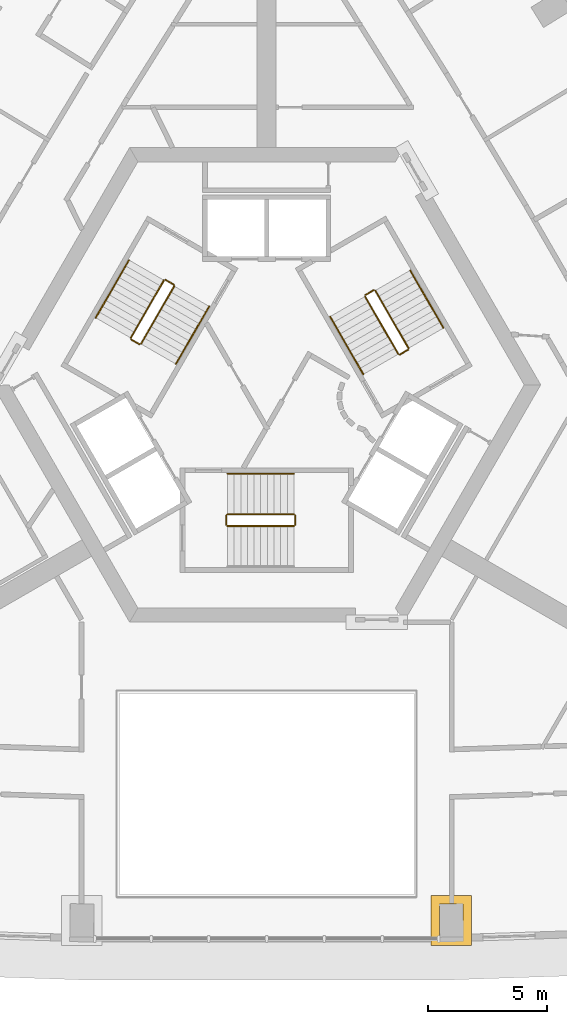
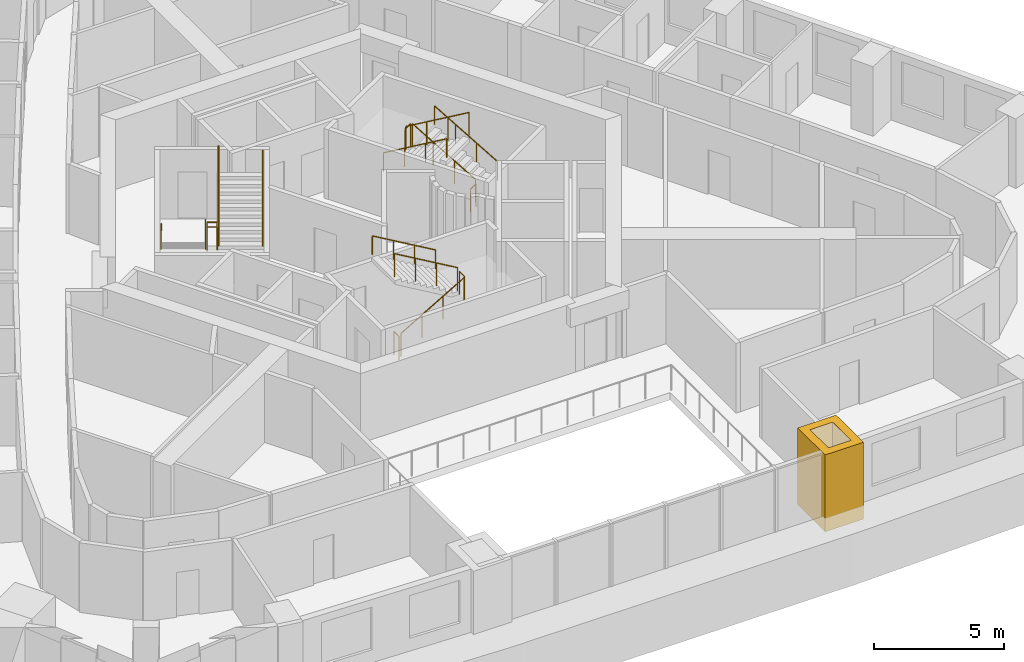
# One storey, part 12 of 13: 17 railings, 1 covering.
"""IFC4 building model written with IfcOpenShell, lengths in metres."""

from ifc_helpers import new_model, si_unit, direction, frame, origin, origin_2d, place, context, subcontext, project, spatial, polyline, circle, outline, extrude, material, type_object, element, save


model = new_model("IFC4")

# Units and contexts
model_context = context("Model", 3, precision=1e-05, world=origin(), true_north=direction((0.0, 1.0)))
body_context = subcontext(model_context, "Body", "Model", "MODEL_VIEW")
ifc_project = project(units=[si_unit("LENGTHUNIT", "METRE"), si_unit("AREAUNIT", "SQUARE_METRE"), si_unit("VOLUMEUNIT", "CUBIC_METRE"), si_unit("PLANEANGLEUNIT", "RADIAN"), si_unit("MASSUNIT", "GRAM", prefix="KILO")], contexts=[model_context])

# Site, building, storey
site_placement = place(None, origin())
site = spatial("IfcSite", under=ifc_project, at=site_placement, CompositionType="ELEMENT")
building_placement = place(site_placement, origin())
building = spatial("IfcBuilding", under=site, at=building_placement, Name="Entoto Arch Interchange Tower", CompositionType="ELEMENT")
storey_placement = place(building_placement, frame((0.0, 0.0, 266.60009765625)))
storey = spatial("IfcBuildingStorey", under=building, at=storey_placement, Name="L61", CompositionType="ELEMENT", Elevation=266.60009765625)

# Covering
ifc_material_1 = material(Name="Board-marked precast concrete C50/60", Category="concrete")
covering_type = type_object("IfcCoveringType", Name="PRECAST FRAME COURSE", PredefinedType="CLADDING", material=ifc_material_1)
covering_placement = place(storey_placement, frame((0.0, 0.0, -0.340087890625)))
element("IfcCovering", 1, at=covering_placement, inside=storey, type_object=covering_type, Name="Gate pier L61", PredefinedType="CLADDING", context=body_context, shape_type="SweptSolid", body=[
    extrude(outline(polyline([(6.93408203125, -19.01904296875), (8.634033203125, -19.01904296875), (8.634033203125, -21.118896484375), (6.93408203125, -21.118896484375), (6.93408203125, -19.01904296875)]), holes=[polyline([(7.283935546875, -19.368896484375), (7.283935546875, -20.76904296875), (8.283935546875, -20.76904296875), (8.283935546875, -19.368896484375), (7.283935546875, -19.368896484375)])]), origin(), (0.0, 0.0, 1.0), 3.60009765625),
])

# Railings
ifc_material_2 = material(Name="Stainless steel 1.4301", Category="steel")
railing_type_1 = type_object("IfcRailingType", Name="STAIR GUARD 1100 STEEL", PredefinedType="GUARDRAIL", material=ifc_material_2)
railing_1_placement = place(storey_placement, frame((-1.64990234375, -3.449951171875, 0.16357421875)))
element("IfcRailing", 2, at=railing_1_placement, inside=storey, type_object=railing_type_1, Name="L61 ST-S stair guard 1", PredefinedType="GUARDRAIL", context=body_context, shape_type="SweptSolid", body=[
    extrude(circle(Radius=0.02392578125, at=origin_2d()), frame((0.0, 0.0, 1.076171875), z_axis=(0.863374499697, 0.0, 0.504563646405), x_axis=(0.0, 1.0, 0.0)), (0.0, 0.0, 1.0), 3.242919921875),
    extrude(circle(Radius=0.02099609375, at=origin_2d()), origin(), (0.0, 0.0, 1.0), 1.052001953125),
    extrude(circle(Radius=0.02099609375, at=origin_2d()), frame((0.933349609375, 0.0, 0.54541015625)), (0.0, 0.0, 1.0), 1.052001953125),
    extrude(circle(Radius=0.02099609375, at=origin_2d()), frame((1.866455078125, 0.0, 1.0908203125)), (0.0, 0.0, 1.0), 1.052001953125),
    extrude(circle(Radius=0.02099609375, at=origin_2d()), frame((2.7998046875, 0.0, 1.63623046875)), (0.0, 0.0, 1.0), 1.052001953125),
])
railing_2_placement = place(storey_placement, frame((1.199951171875, -3.39990234375, 1.7998046875)))
element("IfcRailing", 3, at=railing_2_placement, inside=storey, type_object=railing_type_1, Name="L61 ST-S stair guard 2", PredefinedType="GUARDRAIL", context=body_context, shape_type="SweptSolid", body=[
    extrude(circle(Radius=0.02392578125, at=origin_2d()), frame((0.0, 0.0, 1.076171875), z_axis=(0.0, 1.0, 0.0), x_axis=(-1.0, 0.0, 0.0)), (0.0, 0.0, 1.0), 0.39990234375),
    extrude(circle(Radius=0.02099609375, at=origin_2d()), origin(), (0.0, 0.0, 1.0), 1.052001953125),
    extrude(circle(Radius=0.02099609375, at=origin_2d()), frame((0.0, 0.39990234375, 0.0)), (0.0, 0.0, 1.0), 1.052001953125),
])
railing_3_placement = place(storey_placement, frame((1.14990234375, -2.949951171875, 1.963623046875)))
element("IfcRailing", 4, at=railing_3_placement, inside=storey, type_object=railing_type_1, Name="L61 ST-S stair guard 3", PredefinedType="GUARDRAIL", context=body_context, shape_type="SweptSolid", body=[
    extrude(circle(Radius=0.02392578125, at=origin_2d()), frame((0.0, 0.0, 1.076171875), z_axis=(-0.863374499697, 0.0, 0.504563646405), x_axis=(0.0, -1.0, 0.0)), (0.0, 0.0, 1.0), 3.242919921875),
    extrude(circle(Radius=0.02099609375, at=origin_2d()), origin(), (0.0, 0.0, 1.0), 1.052001953125),
    extrude(circle(Radius=0.02099609375, at=origin_2d()), frame((-0.933349609375, 0.0, 0.54541015625)), (0.0, 0.0, 1.0), 1.052001953125),
    extrude(circle(Radius=0.02099609375, at=origin_2d()), frame((-1.866455078125, 0.0, 1.0908203125)), (0.0, 0.0, 1.0), 1.052001953125),
    extrude(circle(Radius=0.02099609375, at=origin_2d()), frame((-2.7998046875, 0.0, 1.63623046875)), (0.0, 0.0, 1.0), 1.052001953125),
])
railing_4_placement = place(storey_placement, frame((-1.699951171875, -3.39990234375, 0.0)))
element("IfcRailing", 5, at=railing_4_placement, inside=storey, type_object=railing_type_1, Name="L61 ST-S stair guard 4", PredefinedType="GUARDRAIL", context=body_context, shape_type="SweptSolid", body=[
    extrude(circle(Radius=0.02392578125, at=origin_2d()), frame((0.0, 0.0, 1.076171875), z_axis=(0.0, 1.0, 0.0), x_axis=(-1.0, 0.0, 0.0)), (0.0, 0.0, 1.0), 0.39990234375),
    extrude(circle(Radius=0.02099609375, at=origin_2d()), origin(), (0.0, 0.0, 1.0), 1.052001953125),
    extrude(circle(Radius=0.02099609375, at=origin_2d()), frame((0.0, 0.39990234375, 0.0)), (0.0, 0.0, 1.0), 1.052001953125),
])
railing_5_placement = place(storey_placement, frame((5.977783203125, 4.046142578125, 0.16357421875)))
element("IfcRailing", 6, at=railing_5_placement, inside=storey, type_object=railing_type_1, Name="L61 ST-NE stair guard 1", PredefinedType="GUARDRAIL", context=body_context, shape_type="SweptSolid", body=[
    extrude(circle(Radius=0.02392578125, at=origin_2d()), frame((0.0, 0.0, 1.076171875), z_axis=(-0.431677027627, 0.74771821388, 0.504551698492), x_axis=(-0.866034573852, -0.49998411664, 0.0)), (0.0, 0.0, 1.0), 3.242919921875),
    extrude(circle(Radius=0.02099609375, at=origin_2d()), origin(), (0.0, 0.0, 1.0), 1.052001953125),
    extrude(circle(Radius=0.02099609375, at=origin_2d()), frame((-0.466552734375, 0.808349609375, 0.54541015625)), (0.0, 0.0, 1.0), 1.052001953125),
    extrude(circle(Radius=0.02099609375, at=origin_2d()), frame((-0.933349609375, 1.616455078125, 1.0908203125)), (0.0, 0.0, 1.0), 1.052001953125),
    extrude(circle(Radius=0.02099609375, at=origin_2d()), frame((-1.39990234375, 2.4248046875, 1.63623046875)), (0.0, 0.0, 1.0), 1.052001953125),
])
railing_6_placement = place(storey_placement, frame((4.509521484375, 6.4892578125, 1.7998046875)))
element("IfcRailing", 7, at=railing_6_placement, inside=storey, type_object=railing_type_1, Name="L61 ST-NE stair guard 2", PredefinedType="GUARDRAIL", context=body_context, shape_type="SweptSolid", body=[
    extrude(circle(Radius=0.02392578125, at=origin_2d()), frame((0.0, 0.0, 1.076171875), z_axis=(-0.866094119867, -0.499880961361, 0.0), x_axis=(0.499880961361, -0.866094119867, 0.0)), (0.0, 0.0, 1.0), 0.39990234375),
    extrude(circle(Radius=0.02099609375, at=origin_2d()), origin(), (0.0, 0.0, 1.0), 1.052001953125),
    extrude(circle(Radius=0.02099609375, at=origin_2d()), frame((-0.346435546875, -0.199951171875, 0.0)), (0.0, 0.0, 1.0), 1.052001953125),
])
railing_7_placement = place(storey_placement, frame((4.144775390625, 6.220947265625, 1.963623046875)))
element("IfcRailing", 8, at=railing_7_placement, inside=storey, type_object=railing_type_1, Name="L61 ST-NE stair guard 3", PredefinedType="GUARDRAIL", context=body_context, shape_type="SweptSolid", body=[
    extrude(circle(Radius=0.02392578125, at=origin_2d()), frame((0.0, 0.0, 1.076171875), z_axis=(0.431738279637, -0.747693913401, 0.504535300807), x_axis=(0.865996816683, 0.500049511043, 0.0)), (0.0, 0.0, 1.0), 3.2431640625),
    extrude(circle(Radius=0.02099609375, at=origin_2d()), origin(), (0.0, 0.0, 1.0), 1.052001953125),
    extrude(circle(Radius=0.02099609375, at=origin_2d()), frame((0.466796875, -0.808349609375, 0.54541015625)), (0.0, 0.0, 1.0), 1.052001953125),
    extrude(circle(Radius=0.02099609375, at=origin_2d()), frame((0.933349609375, -1.616455078125, 1.0908203125)), (0.0, 0.0, 1.0), 1.052001953125),
    extrude(circle(Radius=0.02099609375, at=origin_2d()), frame((1.400146484375, -2.4248046875, 1.63623046875)), (0.0, 0.0, 1.0), 1.052001953125),
])
railing_8_placement = place(storey_placement, frame((5.95947265625, 3.977783203125, 0.0)))
element("IfcRailing", 9, at=railing_8_placement, inside=storey, type_object=railing_type_1, Name="L61 ST-NE stair guard 4", PredefinedType="GUARDRAIL", context=body_context, shape_type="SweptSolid", body=[
    extrude(circle(Radius=0.02392578125, at=origin_2d()), frame((0.0, 0.0, 1.076171875), z_axis=(-0.866094119867, -0.499880961361, 0.0), x_axis=(0.499880961361, -0.866094119867, 0.0)), (0.0, 0.0, 1.0), 0.39990234375),
    extrude(circle(Radius=0.02099609375, at=origin_2d()), origin(), (0.0, 0.0, 1.0), 1.052001953125),
    extrude(circle(Radius=0.02099609375, at=origin_2d()), frame((-0.346435546875, -0.199951171875, 0.0)), (0.0, 0.0, 1.0), 1.052001953125),
])
railing_9_placement = place(storey_placement, frame((-4.327880859375, 6.904052734375, 0.16357421875)))
element("IfcRailing", 10, at=railing_9_placement, inside=storey, type_object=railing_type_1, Name="L61 ST-NW stair guard 1", PredefinedType="GUARDRAIL", context=body_context, shape_type="SweptSolid", body=[
    extrude(circle(Radius=0.02392578125, at=origin_2d()), frame((0.0, 0.0, 1.076171875), z_axis=(-0.43165272891, -0.747751404999, 0.504523297725), x_axis=(0.866056369097, -0.49994636267, 0.0)), (0.0, 0.0, 1.0), 3.2431640625),
    extrude(circle(Radius=0.02099609375, at=origin_2d()), origin(), (0.0, 0.0, 1.0), 1.052001953125),
    extrude(circle(Radius=0.02099609375, at=origin_2d()), frame((-0.466552734375, -0.808349609375, 0.54541015625)), (0.0, 0.0, 1.0), 1.052001953125),
    extrude(circle(Radius=0.02099609375, at=origin_2d()), frame((-0.933349609375, -1.61669921875, 1.0908203125)), (0.0, 0.0, 1.0), 1.052001953125),
    extrude(circle(Radius=0.02099609375, at=origin_2d()), frame((-1.39990234375, -2.425048828125, 1.63623046875)), (0.0, 0.0, 1.0), 1.052001953125),
])
railing_10_placement = place(storey_placement, frame((-5.70947265625, 4.410888671875, 1.7998046875)))
element("IfcRailing", 11, at=railing_10_placement, inside=storey, type_object=railing_type_1, Name="L61 ST-NW stair guard 2", PredefinedType="GUARDRAIL", context=body_context, shape_type="SweptSolid", body=[
    extrude(circle(Radius=0.02392578125, at=origin_2d()), frame((0.0, 0.0, 1.076171875), z_axis=(0.865829829939, -0.500338590944, 0.0), x_axis=(0.500338590944, 0.865829829939, 0.0)), (0.0, 0.0, 1.0), 0.400146484375),
    extrude(circle(Radius=0.02099609375, at=origin_2d()), origin(), (0.0, 0.0, 1.0), 1.052001953125),
    extrude(circle(Radius=0.02099609375, at=origin_2d()), frame((0.346435546875, -0.2001953125, 0.0)), (0.0, 0.0, 1.0), 1.052001953125),
])
railing_11_placement = place(storey_placement, frame((-5.294921875, 4.22900390625, 1.963623046875)))
element("IfcRailing", 12, at=railing_11_placement, inside=storey, type_object=railing_type_1, Name="L61 ST-NW stair guard 3", PredefinedType="GUARDRAIL", context=body_context, shape_type="SweptSolid", body=[
    extrude(circle(Radius=0.02392578125, at=origin_2d()), frame((0.0, 0.0, 1.076171875), z_axis=(0.431713979052, 0.747727106176, 0.504506902808), x_axis=(-0.866018616679, 0.500011755427, 0.0)), (0.0, 0.0, 1.0), 3.2431640625),
    extrude(circle(Radius=0.02099609375, at=origin_2d()), origin(), (0.0, 0.0, 1.0), 1.052001953125),
    extrude(circle(Radius=0.02099609375, at=origin_2d()), frame((0.466796875, 0.808349609375, 0.54541015625)), (0.0, 0.0, 1.0), 1.052001953125),
    extrude(circle(Radius=0.02099609375, at=origin_2d()), frame((0.933349609375, 1.61669921875, 1.0908203125)), (0.0, 0.0, 1.0), 1.052001953125),
    extrude(circle(Radius=0.02099609375, at=origin_2d()), frame((1.400146484375, 2.425048828125, 1.63623046875)), (0.0, 0.0, 1.0), 1.052001953125),
])
railing_12_placement = place(storey_placement, frame((-4.259521484375, 6.92236328125, 0.0)))
element("IfcRailing", 13, at=railing_12_placement, inside=storey, type_object=railing_type_1, Name="L61 ST-NW stair guard 4", PredefinedType="GUARDRAIL", context=body_context, shape_type="SweptSolid", body=[
    extrude(circle(Radius=0.02392578125, at=origin_2d()), frame((0.0, 0.0, 1.076171875), z_axis=(0.865829829939, -0.500338590944, 0.0), x_axis=(0.500338590944, 0.865829829939, 0.0)), (0.0, 0.0, 1.0), 0.400146484375),
    extrude(circle(Radius=0.02099609375, at=origin_2d()), origin(), (0.0, 0.0, 1.0), 1.052001953125),
    extrude(circle(Radius=0.02099609375, at=origin_2d()), frame((0.346435546875, -0.2001953125, 0.0)), (0.0, 0.0, 1.0), 1.052001953125),
])
railing_type_2 = type_object("IfcRailingType", Name="STAIR HANDRAIL 900 STEEL", PredefinedType="HANDRAIL", material=ifc_material_2)
railing_13_placement = place(storey_placement, frame((1.14990234375, -1.25, 1.963623046875)))
element("IfcRailing", 14, at=railing_13_placement, inside=storey, type_object=railing_type_2, Name="L61 ST-S stair handrail 2", PredefinedType="HANDRAIL", context=body_context, shape_type="SweptSolid", body=[
    extrude(circle(Radius=0.02392578125, at=origin_2d()), frame((0.0, 0.0, 0.8759765625), z_axis=(-0.863374499697, 0.0, 0.504563646405), x_axis=(0.0, -1.0, 0.0)), (0.0, 0.0, 1.0), 3.242919921875),
    extrude(circle(Radius=0.02099609375, at=origin_2d()), origin(), (0.0, 0.0, 1.0), 0.851806640625),
    extrude(circle(Radius=0.02099609375, at=origin_2d()), frame((-0.933349609375, 0.0, 0.54541015625)), (0.0, 0.0, 1.0), 0.851806640625),
    extrude(circle(Radius=0.02099609375, at=origin_2d()), frame((-1.866455078125, 0.0, 1.0908203125)), (0.0, 0.0, 1.0), 0.851806640625),
    extrude(circle(Radius=0.02099609375, at=origin_2d()), frame((-2.7998046875, 0.0, 1.63623046875)), (0.0, 0.0, 1.0), 0.851806640625),
])
railing_14_placement = place(storey_placement, frame((7.4501953125, 4.89599609375, 0.16357421875)))
element("IfcRailing", 15, at=railing_14_placement, inside=storey, type_object=railing_type_2, Name="L61 ST-NE stair handrail 1", PredefinedType="HANDRAIL", context=body_context, shape_type="SweptSolid", body=[
    extrude(circle(Radius=0.02392578125, at=origin_2d()), frame((0.0, 0.0, 0.8759765625), z_axis=(-0.431713979052, 0.747727106176, 0.504506902808), x_axis=(-0.866018616679, -0.500011755427, 0.0)), (0.0, 0.0, 1.0), 3.2431640625),
    extrude(circle(Radius=0.02099609375, at=origin_2d()), origin(), (0.0, 0.0, 1.0), 0.851806640625),
    extrude(circle(Radius=0.02099609375, at=origin_2d()), frame((-0.466796875, 0.808349609375, 0.54541015625)), (0.0, 0.0, 1.0), 0.851806640625),
    extrude(circle(Radius=0.02099609375, at=origin_2d()), frame((-0.933349609375, 1.61669921875, 1.0908203125)), (0.0, 0.0, 1.0), 0.851806640625),
    extrude(circle(Radius=0.02099609375, at=origin_2d()), frame((-1.400146484375, 2.425048828125, 1.63623046875)), (0.0, 0.0, 1.0), 0.851806640625),
])
railing_15_placement = place(storey_placement, frame((2.672607421875, 5.370849609375, 1.963623046875)))
element("IfcRailing", 16, at=railing_15_placement, inside=storey, type_object=railing_type_2, Name="L61 ST-NE stair handrail 2", PredefinedType="HANDRAIL", context=body_context, shape_type="SweptSolid", body=[
    extrude(circle(Radius=0.02392578125, at=origin_2d()), frame((0.0, 0.0, 0.8759765625), z_axis=(0.431677027627, -0.74771821388, 0.504551698492), x_axis=(0.866034573852, 0.49998411664, 0.0)), (0.0, 0.0, 1.0), 3.242919921875),
    extrude(circle(Radius=0.02099609375, at=origin_2d()), origin(), (0.0, 0.0, 1.0), 0.851806640625),
    extrude(circle(Radius=0.02099609375, at=origin_2d()), frame((0.466552734375, -0.808349609375, 0.54541015625)), (0.0, 0.0, 1.0), 0.851806640625),
    extrude(circle(Radius=0.02099609375, at=origin_2d()), frame((0.933349609375, -1.616455078125, 1.0908203125)), (0.0, 0.0, 1.0), 0.851806640625),
    extrude(circle(Radius=0.02099609375, at=origin_2d()), frame((1.39990234375, -2.4248046875, 1.63623046875)), (0.0, 0.0, 1.0), 0.851806640625),
])
railing_16_placement = place(storey_placement, frame((-5.800048828125, 7.75390625, 0.16357421875)))
element("IfcRailing", 17, at=railing_16_placement, inside=storey, type_object=railing_type_2, Name="L61 ST-NW stair handrail 1", PredefinedType="HANDRAIL", context=body_context, shape_type="SweptSolid", body=[
    extrude(circle(Radius=0.02392578125, at=origin_2d()), frame((0.0, 0.0, 0.8759765625), z_axis=(-0.431738279637, -0.747693913401, 0.504535300807), x_axis=(0.865996816683, -0.500049511043, 0.0)), (0.0, 0.0, 1.0), 3.2431640625),
    extrude(circle(Radius=0.02099609375, at=origin_2d()), origin(), (0.0, 0.0, 1.0), 0.851806640625),
    extrude(circle(Radius=0.02099609375, at=origin_2d()), frame((-0.466796875, -0.808349609375, 0.54541015625)), (0.0, 0.0, 1.0), 0.851806640625),
    extrude(circle(Radius=0.02099609375, at=origin_2d()), frame((-0.933349609375, -1.616455078125, 1.0908203125)), (0.0, 0.0, 1.0), 0.851806640625),
    extrude(circle(Radius=0.02099609375, at=origin_2d()), frame((-1.400146484375, -2.4248046875, 1.63623046875)), (0.0, 0.0, 1.0), 0.851806640625),
])
railing_17_placement = place(storey_placement, frame((-3.822509765625, 3.379150390625, 1.963623046875)))
element("IfcRailing", 18, at=railing_17_placement, inside=storey, type_object=railing_type_2, Name="L61 ST-NW stair handrail 2", PredefinedType="HANDRAIL", context=body_context, shape_type="SweptSolid", body=[
    extrude(circle(Radius=0.02392578125, at=origin_2d()), frame((0.0, 0.0, 0.8759765625), z_axis=(0.431677027627, 0.74771821388, 0.504551698492), x_axis=(-0.866034573852, 0.49998411664, 0.0)), (0.0, 0.0, 1.0), 3.242919921875),
    extrude(circle(Radius=0.02099609375, at=origin_2d()), origin(), (0.0, 0.0, 1.0), 0.851806640625),
    extrude(circle(Radius=0.02099609375, at=origin_2d()), frame((0.466552734375, 0.808349609375, 0.54541015625)), (0.0, 0.0, 1.0), 0.851806640625),
    extrude(circle(Radius=0.02099609375, at=origin_2d()), frame((0.933349609375, 1.616455078125, 1.0908203125)), (0.0, 0.0, 1.0), 0.851806640625),
    extrude(circle(Radius=0.02099609375, at=origin_2d()), frame((1.39990234375, 2.4248046875, 1.63623046875)), (0.0, 0.0, 1.0), 0.851806640625),
])

save(model, "model.ifc")
